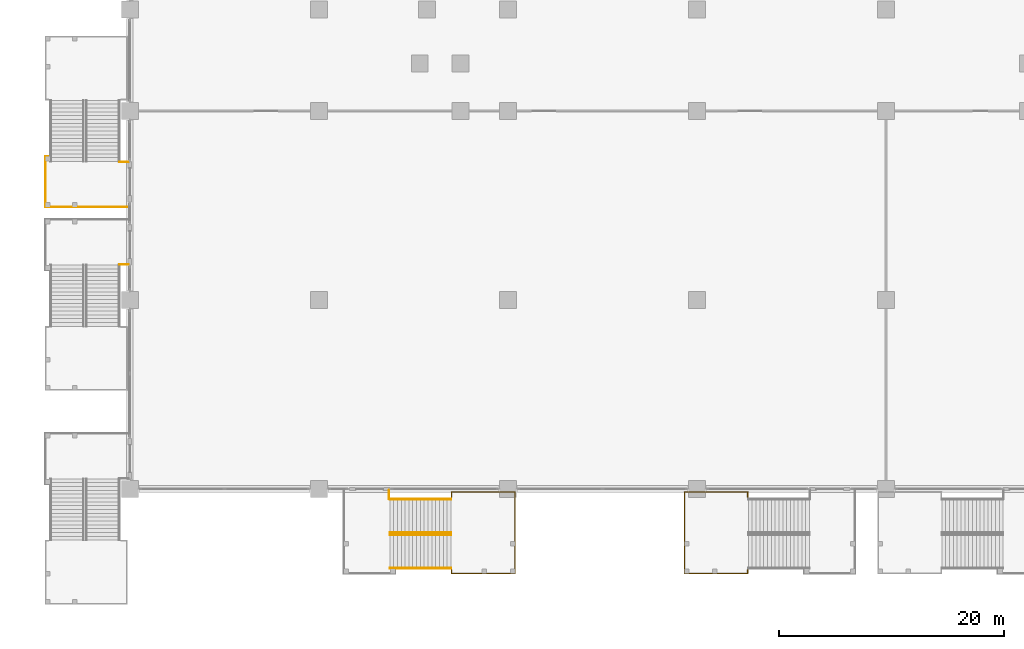
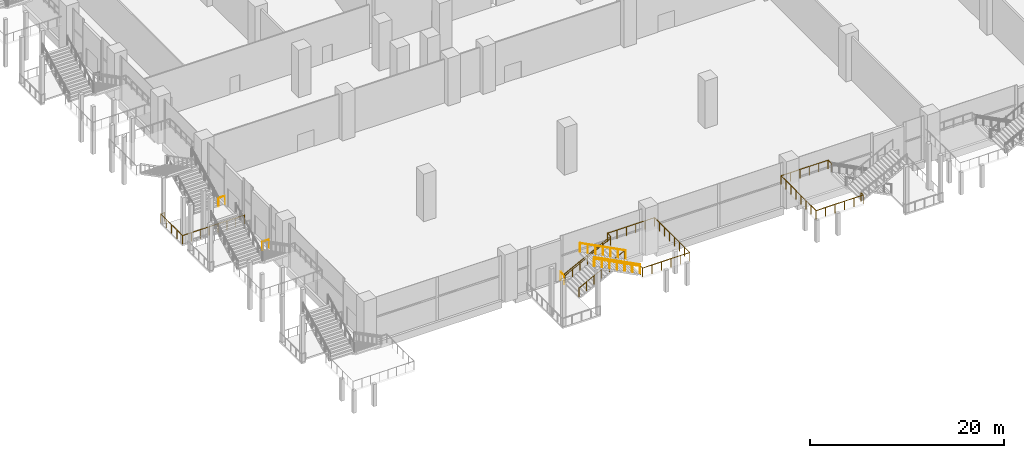
# One storey, part 36 of 49: 12 railings.
"""IFC4 building model written with IfcOpenShell, lengths in metres."""

from ifc_helpers import new_model, si_unit, direction, frame, origin, origin_2d, place, context, subcontext, project, spatial, circle, extrude, material, type_object, element, save


model = new_model("IFC4")

# Units and contexts
model_context = context("Model", 3, precision=1e-05, world=origin(), true_north=direction((0.0, 1.0)))
body_context = subcontext(model_context, "Body", "Model", "MODEL_VIEW")
ifc_project = project(units=[si_unit("LENGTHUNIT", "METRE"), si_unit("AREAUNIT", "SQUARE_METRE"), si_unit("VOLUMEUNIT", "CUBIC_METRE"), si_unit("PLANEANGLEUNIT", "RADIAN"), si_unit("MASSUNIT", "GRAM", prefix="KILO")], contexts=[model_context])

# Site, building, storey
site_placement = place(None, origin())
site = spatial("IfcSite", under=ifc_project, at=site_placement, CompositionType="ELEMENT")
building_placement = place(site_placement, origin())
building = spatial("IfcBuilding", under=site, at=building_placement, Name="Candeia Pilgrim Tower and Theatre", CompositionType="ELEMENT")
storey_placement = place(building_placement, frame((0.0, 0.0, 17.0)))
storey = spatial("IfcBuildingStorey", under=building, at=storey_placement, Name="L02", CompositionType="ELEMENT", Elevation=17.0)

# Railings
ifc_material_1 = material(Name="Stainless steel balustrade", Category="steel")
railing_type_1 = type_object("IfcRailingType", Name="RL-GUARD-1100", PredefinedType="GUARDRAIL", material=ifc_material_1)
railing_1_placement = place(storey_placement, frame((81.89990234375, 60.550048828125, 0.176513671875)))
element("IfcRailing", 1, at=railing_1_placement, inside=storey, type_object=railing_type_1, Name="L02 ES8 stair guard 1", PredefinedType="GUARDRAIL", context=body_context, shape_type="SweptSolid", body=[
    extrude(circle(Radius=0.02392578125, at=origin_2d()), frame((0.0, 0.0, 1.076171875), z_axis=(0.887577827043, 0.0, 0.460657791579), x_axis=(0.0, 1.0, 0.0)), (0.0, 0.0, 1.0), 6.129150390625),
    extrude(circle(Radius=0.02099609375, at=origin_2d()), origin(), (0.0, 0.0, 1.0), 1.052001953125),
    extrude(circle(Radius=0.02099609375, at=origin_2d()), frame((0.90673828125, 0.0, 0.470703125)), (0.0, 0.0, 1.0), 1.052001953125),
    extrude(circle(Radius=0.02099609375, at=origin_2d()), frame((1.8134765625, 0.0, 0.941162109375)), (0.0, 0.0, 1.0), 1.052001953125),
    extrude(circle(Radius=0.02099609375, at=origin_2d()), frame((2.72021484375, 0.0, 1.41162109375)), (0.0, 0.0, 1.0), 1.052001953125),
    extrude(circle(Radius=0.02099609375, at=origin_2d()), frame((3.626708984375, 0.0, 1.88232421875)), (0.0, 0.0, 1.0), 1.052001953125),
    extrude(circle(Radius=0.02099609375, at=origin_2d()), frame((4.533447265625, 0.0, 2.35302734375)), (0.0, 0.0, 1.0), 1.052001953125),
    extrude(circle(Radius=0.02099609375, at=origin_2d()), frame((5.440185546875, 0.0, 2.823486328125)), (0.0, 0.0, 1.0), 1.052001953125),
])
railing_2_placement = place(storey_placement, frame((87.340087890625, 60.300048828125, 3.176513671875)))
element("IfcRailing", 2, at=railing_2_placement, inside=storey, type_object=railing_type_1, Name="L02 ES8 stair guard 2", PredefinedType="GUARDRAIL", context=body_context, shape_type="SweptSolid", body=[
    extrude(circle(Radius=0.02392578125, at=origin_2d()), frame((0.0, 0.0, 1.076171875), z_axis=(-0.887577827043, 0.0, 0.460657791579), x_axis=(0.0, -1.0, 0.0)), (0.0, 0.0, 1.0), 6.129150390625),
    extrude(circle(Radius=0.02099609375, at=origin_2d()), origin(), (0.0, 0.0, 1.0), 1.052001953125),
    extrude(circle(Radius=0.02099609375, at=origin_2d()), frame((-0.90673828125, 0.0, 0.470703125)), (0.0, 0.0, 1.0), 1.052001953125),
    extrude(circle(Radius=0.02099609375, at=origin_2d()), frame((-1.8134765625, 0.0, 0.941162109375)), (0.0, 0.0, 1.0), 1.052001953125),
    extrude(circle(Radius=0.02099609375, at=origin_2d()), frame((-2.72021484375, 0.0, 1.41162109375)), (0.0, 0.0, 1.0), 1.052001953125),
    extrude(circle(Radius=0.02099609375, at=origin_2d()), frame((-3.626708984375, 0.0, 1.88232421875)), (0.0, 0.0, 1.0), 1.052001953125),
    extrude(circle(Radius=0.02099609375, at=origin_2d()), frame((-4.533447265625, 0.0, 2.35302734375)), (0.0, 0.0, 1.0), 1.052001953125),
    extrude(circle(Radius=0.02099609375, at=origin_2d()), frame((-5.440185546875, 0.0, 2.823486328125)), (0.0, 0.0, 1.0), 1.052001953125),
])
railing_3_placement = place(storey_placement, frame((81.89990234375, 63.5, 0.176513671875)))
element("IfcRailing", 3, at=railing_3_placement, inside=storey, type_object=railing_type_1, Name="L02 ES8 stair guard 3", PredefinedType="GUARDRAIL", context=body_context, shape_type="SweptSolid", body=[
    extrude(circle(Radius=0.02392578125, at=origin_2d()), frame((0.0, 0.0, 1.076171875), z_axis=(0.887577827043, 0.0, 0.460657791579), x_axis=(0.0, 1.0, 0.0)), (0.0, 0.0, 1.0), 6.129150390625),
    extrude(circle(Radius=0.02099609375, at=origin_2d()), origin(), (0.0, 0.0, 1.0), 1.052001953125),
    extrude(circle(Radius=0.02099609375, at=origin_2d()), frame((0.90673828125, 0.0, 0.470703125)), (0.0, 0.0, 1.0), 1.052001953125),
    extrude(circle(Radius=0.02099609375, at=origin_2d()), frame((1.8134765625, 0.0, 0.941162109375)), (0.0, 0.0, 1.0), 1.052001953125),
    extrude(circle(Radius=0.02099609375, at=origin_2d()), frame((2.72021484375, 0.0, 1.41162109375)), (0.0, 0.0, 1.0), 1.052001953125),
    extrude(circle(Radius=0.02099609375, at=origin_2d()), frame((3.626708984375, 0.0, 1.88232421875)), (0.0, 0.0, 1.0), 1.052001953125),
    extrude(circle(Radius=0.02099609375, at=origin_2d()), frame((4.533447265625, 0.0, 2.35302734375)), (0.0, 0.0, 1.0), 1.052001953125),
    extrude(circle(Radius=0.02099609375, at=origin_2d()), frame((5.440185546875, 0.0, 2.823486328125)), (0.0, 0.0, 1.0), 1.052001953125),
])
railing_4_placement = place(storey_placement, frame((87.340087890625, 57.35009765625, 3.176513671875)))
element("IfcRailing", 4, at=railing_4_placement, inside=storey, type_object=railing_type_1, Name="L02 ES8 stair guard 4", PredefinedType="GUARDRAIL", context=body_context, shape_type="SweptSolid", body=[
    extrude(circle(Radius=0.02392578125, at=origin_2d()), frame((0.0, 0.0, 1.076171875), z_axis=(-0.887577827043, 0.0, 0.460657791579), x_axis=(0.0, -1.0, 0.0)), (0.0, 0.0, 1.0), 6.129150390625),
    extrude(circle(Radius=0.02099609375, at=origin_2d()), origin(), (0.0, 0.0, 1.0), 1.052001953125),
    extrude(circle(Radius=0.02099609375, at=origin_2d()), frame((-0.90673828125, 0.0, 0.470703125)), (0.0, 0.0, 1.0), 1.052001953125),
    extrude(circle(Radius=0.02099609375, at=origin_2d()), frame((-1.8134765625, 0.0, 0.941162109375)), (0.0, 0.0, 1.0), 1.052001953125),
    extrude(circle(Radius=0.02099609375, at=origin_2d()), frame((-2.72021484375, 0.0, 1.41162109375)), (0.0, 0.0, 1.0), 1.052001953125),
    extrude(circle(Radius=0.02099609375, at=origin_2d()), frame((-3.626708984375, 0.0, 1.88232421875)), (0.0, 0.0, 1.0), 1.052001953125),
    extrude(circle(Radius=0.02099609375, at=origin_2d()), frame((-4.533447265625, 0.0, 2.35302734375)), (0.0, 0.0, 1.0), 1.052001953125),
    extrude(circle(Radius=0.02099609375, at=origin_2d()), frame((-5.440185546875, 0.0, 2.823486328125)), (0.0, 0.0, 1.0), 1.052001953125),
])
railing_5_placement = place(storey_placement, frame((87.389892578125, 63.5, 3.0)))
element("IfcRailing", 5, at=railing_5_placement, inside=storey, type_object=railing_type_1, Name="L02 ES8 stair guard 5", PredefinedType="GUARDRAIL", context=body_context, shape_type="SweptSolid", body=[
    extrude(circle(Radius=0.02392578125, at=origin_2d()), frame((0.0, 0.0, 1.076171875), z_axis=(0.0, 1.0, 0.0), x_axis=(-1.0, 0.0, 0.0)), (0.0, 0.0, 1.0), 0.64990234375),
    extrude(circle(Radius=0.02392578125, at=origin_2d()), frame((0.0, 0.64990234375, 1.076171875), z_axis=(1.0, 0.0, 0.0), x_axis=(0.0, 1.0, 0.0)), (0.0, 0.0, 1.0), 5.6201171875),
    extrude(circle(Radius=0.02392578125, at=origin_2d()), frame((5.6201171875, 0.64990234375, 1.076171875), z_axis=(0.0, -1.0, 0.0), x_axis=(1.0, 0.0, 0.0)), (0.0, 0.0, 1.0), 7.25),
    extrude(circle(Radius=0.02392578125, at=origin_2d()), frame((5.6201171875, -6.60009765625, 1.076171875), z_axis=(-1.0, 0.0, 0.0), x_axis=(0.0, -1.0, 0.0)), (0.0, 0.0, 1.0), 5.6201171875),
    extrude(circle(Radius=0.02392578125, at=origin_2d()), frame((0.0, -6.60009765625, 1.076171875), z_axis=(0.0, 1.0, 0.0), x_axis=(-1.0, 0.0, 0.0)), (0.0, 0.0, 1.0), 0.4501953125),
    extrude(circle(Radius=0.02099609375, at=origin_2d()), origin(), (0.0, 0.0, 1.0), 1.052001953125),
    extrude(circle(Radius=0.02099609375, at=origin_2d()), frame((0.0, 0.64990234375, 0.0)), (0.0, 0.0, 1.0), 1.052001953125),
    extrude(circle(Radius=0.02099609375, at=origin_2d()), frame((1.1240234375, 0.64990234375, 0.0)), (0.0, 0.0, 1.0), 1.052001953125),
    extrude(circle(Radius=0.02099609375, at=origin_2d()), frame((2.248046875, 0.64990234375, 0.0)), (0.0, 0.0, 1.0), 1.052001953125),
    extrude(circle(Radius=0.02099609375, at=origin_2d()), frame((3.3720703125, 0.64990234375, 0.0)), (0.0, 0.0, 1.0), 1.052001953125),
    extrude(circle(Radius=0.02099609375, at=origin_2d()), frame((4.49609375, 0.64990234375, 0.0)), (0.0, 0.0, 1.0), 1.052001953125),
    extrude(circle(Radius=0.02099609375, at=origin_2d()), frame((5.6201171875, 0.64990234375, 0.0)), (0.0, 0.0, 1.0), 1.052001953125),
    extrude(circle(Radius=0.02099609375, at=origin_2d()), frame((5.6201171875, -0.3857421875, 0.0)), (0.0, 0.0, 1.0), 1.052001953125),
    extrude(circle(Radius=0.02099609375, at=origin_2d()), frame((5.6201171875, -1.421630859375, 0.0)), (0.0, 0.0, 1.0), 1.052001953125),
    extrude(circle(Radius=0.02099609375, at=origin_2d()), frame((5.6201171875, -2.457275390625, 0.0)), (0.0, 0.0, 1.0), 1.052001953125),
    extrude(circle(Radius=0.02099609375, at=origin_2d()), frame((5.6201171875, -3.492919921875, 0.0)), (0.0, 0.0, 1.0), 1.052001953125),
    extrude(circle(Radius=0.02099609375, at=origin_2d()), frame((5.6201171875, -4.528564453125, 0.0)), (0.0, 0.0, 1.0), 1.052001953125),
    extrude(circle(Radius=0.02099609375, at=origin_2d()), frame((5.6201171875, -5.564453125, 0.0)), (0.0, 0.0, 1.0), 1.052001953125),
    extrude(circle(Radius=0.02099609375, at=origin_2d()), frame((5.6201171875, -6.60009765625, 0.0)), (0.0, 0.0, 1.0), 1.052001953125),
    extrude(circle(Radius=0.02099609375, at=origin_2d()), frame((4.49609375, -6.60009765625, 0.0)), (0.0, 0.0, 1.0), 1.052001953125),
    extrude(circle(Radius=0.02099609375, at=origin_2d()), frame((3.3720703125, -6.60009765625, 0.0)), (0.0, 0.0, 1.0), 1.052001953125),
    extrude(circle(Radius=0.02099609375, at=origin_2d()), frame((2.248046875, -6.60009765625, 0.0)), (0.0, 0.0, 1.0), 1.052001953125),
    extrude(circle(Radius=0.02099609375, at=origin_2d()), frame((1.1240234375, -6.60009765625, 0.0)), (0.0, 0.0, 1.0), 1.052001953125),
    extrude(circle(Radius=0.02099609375, at=origin_2d()), frame((0.0, -6.60009765625, 0.0)), (0.0, 0.0, 1.0), 1.052001953125),
    extrude(circle(Radius=0.02099609375, at=origin_2d()), frame((0.0, -6.14990234375, 0.0)), (0.0, 0.0, 1.0), 1.052001953125),
])
railing_6_placement = place(storey_placement, frame((81.85009765625, 64.300048828125, 0.0)))
element("IfcRailing", 6, at=railing_6_placement, inside=storey, type_object=railing_type_1, Name="L02 External escape stair ES8 bridge guard", PredefinedType="GUARDRAIL", context=body_context, shape_type="SweptSolid", body=[
    extrude(circle(Radius=0.02392578125, at=origin_2d()), frame((0.0, 0.0, 1.076171875), z_axis=(0.0, -1.0, 0.0), x_axis=(1.0, 0.0, 0.0)), (0.0, 0.0, 1.0), 0.800048828125),
    extrude(circle(Radius=0.02099609375, at=origin_2d()), origin(), (0.0, 0.0, 1.0), 1.052001953125),
    extrude(circle(Radius=0.02099609375, at=origin_2d()), frame((0.0, -0.800048828125, 0.0)), (0.0, 0.0, 1.0), 1.052001953125),
])
railing_7_placement = place(storey_placement, frame((113.7099609375, 63.5, 3.0)))
element("IfcRailing", 7, at=railing_7_placement, inside=storey, type_object=railing_type_1, Name="L02 ES9 stair guard 5", PredefinedType="GUARDRAIL", context=body_context, shape_type="SweptSolid", body=[
    extrude(circle(Radius=0.02392578125, at=origin_2d()), frame((0.0, 0.0, 1.076171875), z_axis=(0.0, 1.0, 0.0), x_axis=(-1.0, 0.0, 0.0)), (0.0, 0.0, 1.0), 0.64990234375),
    extrude(circle(Radius=0.02392578125, at=origin_2d()), frame((0.0, 0.64990234375, 1.076171875), z_axis=(-1.0, 0.0, 0.0), x_axis=(0.0, -1.0, 0.0)), (0.0, 0.0, 1.0), 5.619873046875),
    extrude(circle(Radius=0.02392578125, at=origin_2d()), frame((-5.619873046875, 0.64990234375, 1.076171875), z_axis=(0.0, -1.0, 0.0), x_axis=(1.0, 0.0, 0.0)), (0.0, 0.0, 1.0), 7.25),
    extrude(circle(Radius=0.02392578125, at=origin_2d()), frame((-5.619873046875, -6.60009765625, 1.076171875), z_axis=(1.0, 0.0, 0.0), x_axis=(0.0, 1.0, 0.0)), (0.0, 0.0, 1.0), 5.619873046875),
    extrude(circle(Radius=0.02392578125, at=origin_2d()), frame((0.0, -6.60009765625, 1.076171875), z_axis=(0.0, 1.0, 0.0), x_axis=(-1.0, 0.0, 0.0)), (0.0, 0.0, 1.0), 0.4501953125),
    extrude(circle(Radius=0.02099609375, at=origin_2d()), origin(), (0.0, 0.0, 1.0), 1.052001953125),
    extrude(circle(Radius=0.02099609375, at=origin_2d()), frame((0.0, 0.64990234375, 0.0)), (0.0, 0.0, 1.0), 1.052001953125),
    extrude(circle(Radius=0.02099609375, at=origin_2d()), frame((-1.1240234375, 0.64990234375, 0.0)), (0.0, 0.0, 1.0), 1.052001953125),
    extrude(circle(Radius=0.02099609375, at=origin_2d()), frame((-2.248046875, 0.64990234375, 0.0)), (0.0, 0.0, 1.0), 1.052001953125),
    extrude(circle(Radius=0.02099609375, at=origin_2d()), frame((-3.371826171875, 0.64990234375, 0.0)), (0.0, 0.0, 1.0), 1.052001953125),
    extrude(circle(Radius=0.02099609375, at=origin_2d()), frame((-4.495849609375, 0.64990234375, 0.0)), (0.0, 0.0, 1.0), 1.052001953125),
    extrude(circle(Radius=0.02099609375, at=origin_2d()), frame((-5.619873046875, 0.64990234375, 0.0)), (0.0, 0.0, 1.0), 1.052001953125),
    extrude(circle(Radius=0.02099609375, at=origin_2d()), frame((-5.619873046875, -0.3857421875, 0.0)), (0.0, 0.0, 1.0), 1.052001953125),
    extrude(circle(Radius=0.02099609375, at=origin_2d()), frame((-5.619873046875, -1.421630859375, 0.0)), (0.0, 0.0, 1.0), 1.052001953125),
    extrude(circle(Radius=0.02099609375, at=origin_2d()), frame((-5.619873046875, -2.457275390625, 0.0)), (0.0, 0.0, 1.0), 1.052001953125),
    extrude(circle(Radius=0.02099609375, at=origin_2d()), frame((-5.619873046875, -3.492919921875, 0.0)), (0.0, 0.0, 1.0), 1.052001953125),
    extrude(circle(Radius=0.02099609375, at=origin_2d()), frame((-5.619873046875, -4.528564453125, 0.0)), (0.0, 0.0, 1.0), 1.052001953125),
    extrude(circle(Radius=0.02099609375, at=origin_2d()), frame((-5.619873046875, -5.564453125, 0.0)), (0.0, 0.0, 1.0), 1.052001953125),
    extrude(circle(Radius=0.02099609375, at=origin_2d()), frame((-5.619873046875, -6.60009765625, 0.0)), (0.0, 0.0, 1.0), 1.052001953125),
    extrude(circle(Radius=0.02099609375, at=origin_2d()), frame((-4.495849609375, -6.60009765625, 0.0)), (0.0, 0.0, 1.0), 1.052001953125),
    extrude(circle(Radius=0.02099609375, at=origin_2d()), frame((-3.371826171875, -6.60009765625, 0.0)), (0.0, 0.0, 1.0), 1.052001953125),
    extrude(circle(Radius=0.02099609375, at=origin_2d()), frame((-2.248046875, -6.60009765625, 0.0)), (0.0, 0.0, 1.0), 1.052001953125),
    extrude(circle(Radius=0.02099609375, at=origin_2d()), frame((-1.1240234375, -6.60009765625, 0.0)), (0.0, 0.0, 1.0), 1.052001953125),
    extrude(circle(Radius=0.02099609375, at=origin_2d()), frame((0.0, -6.60009765625, 0.0)), (0.0, 0.0, 1.0), 1.052001953125),
    extrude(circle(Radius=0.02099609375, at=origin_2d()), frame((0.0, -6.14990234375, 0.0)), (0.0, 0.0, 1.0), 1.052001953125),
])
railing_8_placement = place(storey_placement, frame((58.699951171875, 84.35009765625, 0.0)))
element("IfcRailing", 8, at=railing_8_placement, inside=storey, type_object=railing_type_1, Name="L02 External escape stair ES11 bridge guard", PredefinedType="GUARDRAIL", context=body_context, shape_type="SweptSolid", body=[
    extrude(circle(Radius=0.02392578125, at=origin_2d()), frame((0.0, 0.0, 1.076171875), z_axis=(-1.0, 0.0, 0.0), x_axis=(0.0, -1.0, 0.0)), (0.0, 0.0, 1.0), 0.800048828125),
    extrude(circle(Radius=0.02099609375, at=origin_2d()), origin(), (0.0, 0.0, 1.0), 1.052001953125),
    extrude(circle(Radius=0.02099609375, at=origin_2d()), frame((-0.800048828125, 0.0, 0.0)), (0.0, 0.0, 1.0), 1.052001953125),
])
railing_9_placement = place(storey_placement, frame((58.699951171875, 89.449951171875, 0.0)))
element("IfcRailing", 9, at=railing_9_placement, inside=storey, type_object=railing_type_1, Name="L02 External escape stair ES12 landing guard", PredefinedType="GUARDRAIL", context=body_context, shape_type="SweptSolid", body=[
    extrude(circle(Radius=0.02392578125, at=origin_2d()), frame((0.0, 0.0, 1.076171875), z_axis=(-1.0, 0.0, 0.0), x_axis=(0.0, -1.0, 0.0)), (0.0, 0.0, 1.0), 7.39990234375),
    extrude(circle(Radius=0.02392578125, at=origin_2d()), frame((-7.39990234375, 0.0, 1.076171875), z_axis=(0.0, 1.0, 0.0), x_axis=(-1.0, 0.0, 0.0)), (0.0, 0.0, 1.0), 4.5),
    extrude(circle(Radius=0.02392578125, at=origin_2d()), frame((-7.39990234375, 4.5, 1.076171875), z_axis=(1.0, 0.0, 0.0), x_axis=(0.0, 1.0, 0.0)), (0.0, 0.0, 1.0), 0.449951171875),
    extrude(circle(Radius=0.02099609375, at=origin_2d()), origin(), (0.0, 0.0, 1.0), 1.052001953125),
    extrude(circle(Radius=0.02099609375, at=origin_2d()), frame((-1.05712890625, 0.0, 0.0)), (0.0, 0.0, 1.0), 1.052001953125),
    extrude(circle(Radius=0.02099609375, at=origin_2d()), frame((-2.1142578125, 0.0, 0.0)), (0.0, 0.0, 1.0), 1.052001953125),
    extrude(circle(Radius=0.02099609375, at=origin_2d()), frame((-3.17138671875, 0.0, 0.0)), (0.0, 0.0, 1.0), 1.052001953125),
    extrude(circle(Radius=0.02099609375, at=origin_2d()), frame((-4.228515625, 0.0, 0.0)), (0.0, 0.0, 1.0), 1.052001953125),
    extrude(circle(Radius=0.02099609375, at=origin_2d()), frame((-5.28564453125, 0.0, 0.0)), (0.0, 0.0, 1.0), 1.052001953125),
    extrude(circle(Radius=0.02099609375, at=origin_2d()), frame((-6.3427734375, 0.0, 0.0)), (0.0, 0.0, 1.0), 1.052001953125),
    extrude(circle(Radius=0.02099609375, at=origin_2d()), frame((-7.39990234375, 0.0, 0.0)), (0.0, 0.0, 1.0), 1.052001953125),
    extrude(circle(Radius=0.02099609375, at=origin_2d()), frame((-7.39990234375, 1.125, 0.0)), (0.0, 0.0, 1.0), 1.052001953125),
    extrude(circle(Radius=0.02099609375, at=origin_2d()), frame((-7.39990234375, 2.25, 0.0)), (0.0, 0.0, 1.0), 1.052001953125),
    extrude(circle(Radius=0.02099609375, at=origin_2d()), frame((-7.39990234375, 3.375, 0.0)), (0.0, 0.0, 1.0), 1.052001953125),
    extrude(circle(Radius=0.02099609375, at=origin_2d()), frame((-7.39990234375, 4.5, 0.0)), (0.0, 0.0, 1.0), 1.052001953125),
    extrude(circle(Radius=0.02099609375, at=origin_2d()), frame((-6.949951171875, 4.5, 0.0)), (0.0, 0.0, 1.0), 1.052001953125),
])
railing_10_placement = place(storey_placement, frame((58.699951171875, 93.449951171875, 0.0)))
element("IfcRailing", 10, at=railing_10_placement, inside=storey, type_object=railing_type_1, Name="L02 External escape stair ES12 bridge guard", PredefinedType="GUARDRAIL", context=body_context, shape_type="SweptSolid", body=[
    extrude(circle(Radius=0.02392578125, at=origin_2d()), frame((0.0, 0.0, 1.076171875), z_axis=(-1.0, 0.0, 0.0), x_axis=(0.0, -1.0, 0.0)), (0.0, 0.0, 1.0), 0.800048828125),
    extrude(circle(Radius=0.02099609375, at=origin_2d()), origin(), (0.0, 0.0, 1.0), 1.052001953125),
    extrude(circle(Radius=0.02099609375, at=origin_2d()), frame((-0.800048828125, 0.0, 0.0)), (0.0, 0.0, 1.0), 1.052001953125),
])
ifc_material_2 = material(Name="Stainless steel handrail", Category="steel")
railing_type_2 = type_object("IfcRailingType", Name="RL-HANDRAIL-900", PredefinedType="HANDRAIL", material=ifc_material_2)
railing_11_placement = place(storey_placement, frame((81.89990234375, 63.449951171875, 0.176513671875)))
element("IfcRailing", 11, at=railing_11_placement, inside=storey, type_object=railing_type_2, Name="L02 ES8 stair handrail 1", PredefinedType="HANDRAIL", context=body_context, shape_type="SweptSolid", body=[
    extrude(circle(Radius=0.02392578125, at=origin_2d()), frame((0.0, 0.0, 0.8759765625), z_axis=(0.887577827043, 0.0, 0.460657791579), x_axis=(0.0, 1.0, 0.0)), (0.0, 0.0, 1.0), 6.129150390625),
    extrude(circle(Radius=0.02099609375, at=origin_2d()), origin(), (0.0, 0.0, 1.0), 0.851806640625),
    extrude(circle(Radius=0.02099609375, at=origin_2d()), frame((0.90673828125, 0.0, 0.470703125)), (0.0, 0.0, 1.0), 0.851806640625),
    extrude(circle(Radius=0.02099609375, at=origin_2d()), frame((1.8134765625, 0.0, 0.941162109375)), (0.0, 0.0, 1.0), 0.851806640625),
    extrude(circle(Radius=0.02099609375, at=origin_2d()), frame((2.72021484375, 0.0, 1.41162109375)), (0.0, 0.0, 1.0), 0.851806640625),
    extrude(circle(Radius=0.02099609375, at=origin_2d()), frame((3.626708984375, 0.0, 1.88232421875)), (0.0, 0.0, 1.0), 0.851806640625),
    extrude(circle(Radius=0.02099609375, at=origin_2d()), frame((4.533447265625, 0.0, 2.35302734375)), (0.0, 0.0, 1.0), 0.851806640625),
    extrude(circle(Radius=0.02099609375, at=origin_2d()), frame((5.440185546875, 0.0, 2.823486328125)), (0.0, 0.0, 1.0), 0.851806640625),
])
railing_12_placement = place(storey_placement, frame((87.340087890625, 57.39990234375, 3.176513671875)))
element("IfcRailing", 12, at=railing_12_placement, inside=storey, type_object=railing_type_2, Name="L02 ES8 stair handrail 2", PredefinedType="HANDRAIL", context=body_context, shape_type="SweptSolid", body=[
    extrude(circle(Radius=0.02392578125, at=origin_2d()), frame((0.0, 0.0, 0.8759765625), z_axis=(-0.887577827043, 0.0, 0.460657791579), x_axis=(0.0, -1.0, 0.0)), (0.0, 0.0, 1.0), 6.129150390625),
    extrude(circle(Radius=0.02099609375, at=origin_2d()), origin(), (0.0, 0.0, 1.0), 0.851806640625),
    extrude(circle(Radius=0.02099609375, at=origin_2d()), frame((-0.90673828125, 0.0, 0.470703125)), (0.0, 0.0, 1.0), 0.851806640625),
    extrude(circle(Radius=0.02099609375, at=origin_2d()), frame((-1.8134765625, 0.0, 0.941162109375)), (0.0, 0.0, 1.0), 0.851806640625),
    extrude(circle(Radius=0.02099609375, at=origin_2d()), frame((-2.72021484375, 0.0, 1.41162109375)), (0.0, 0.0, 1.0), 0.851806640625),
    extrude(circle(Radius=0.02099609375, at=origin_2d()), frame((-3.626708984375, 0.0, 1.88232421875)), (0.0, 0.0, 1.0), 0.851806640625),
    extrude(circle(Radius=0.02099609375, at=origin_2d()), frame((-4.533447265625, 0.0, 2.35302734375)), (0.0, 0.0, 1.0), 0.851806640625),
    extrude(circle(Radius=0.02099609375, at=origin_2d()), frame((-5.440185546875, 0.0, 2.823486328125)), (0.0, 0.0, 1.0), 0.851806640625),
])

save(model, "model.ifc")
